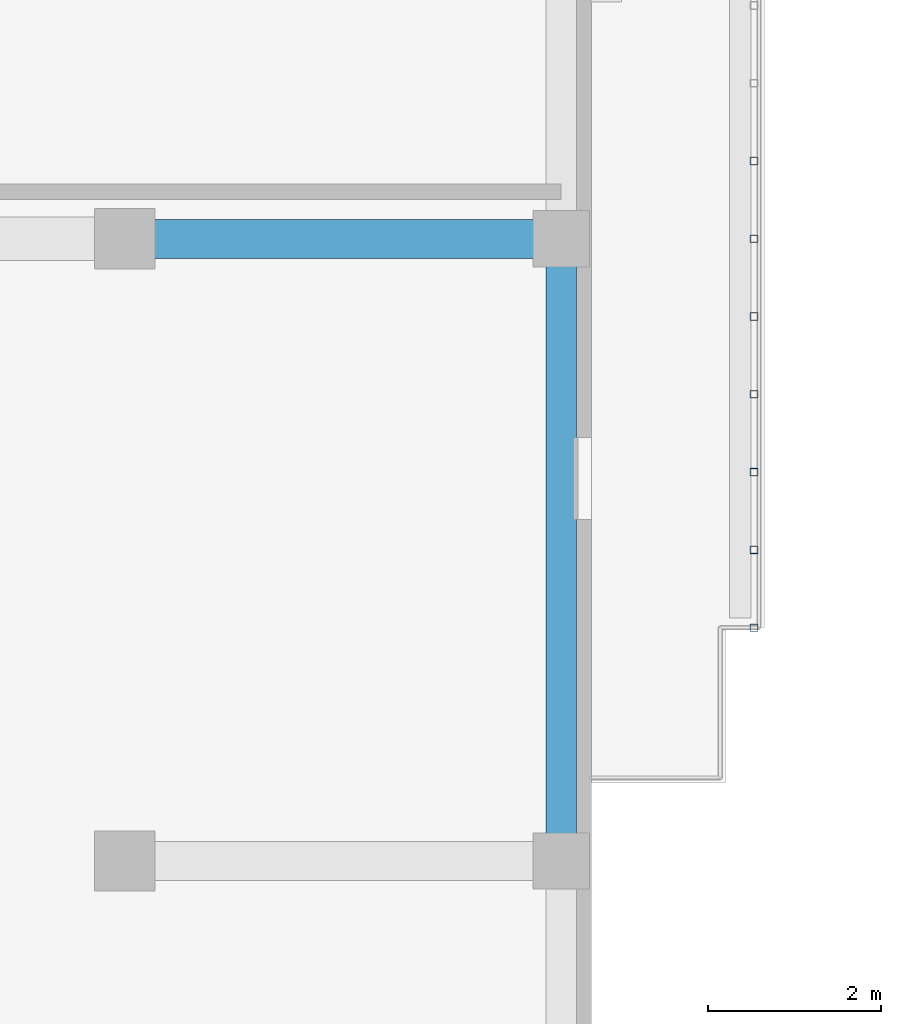
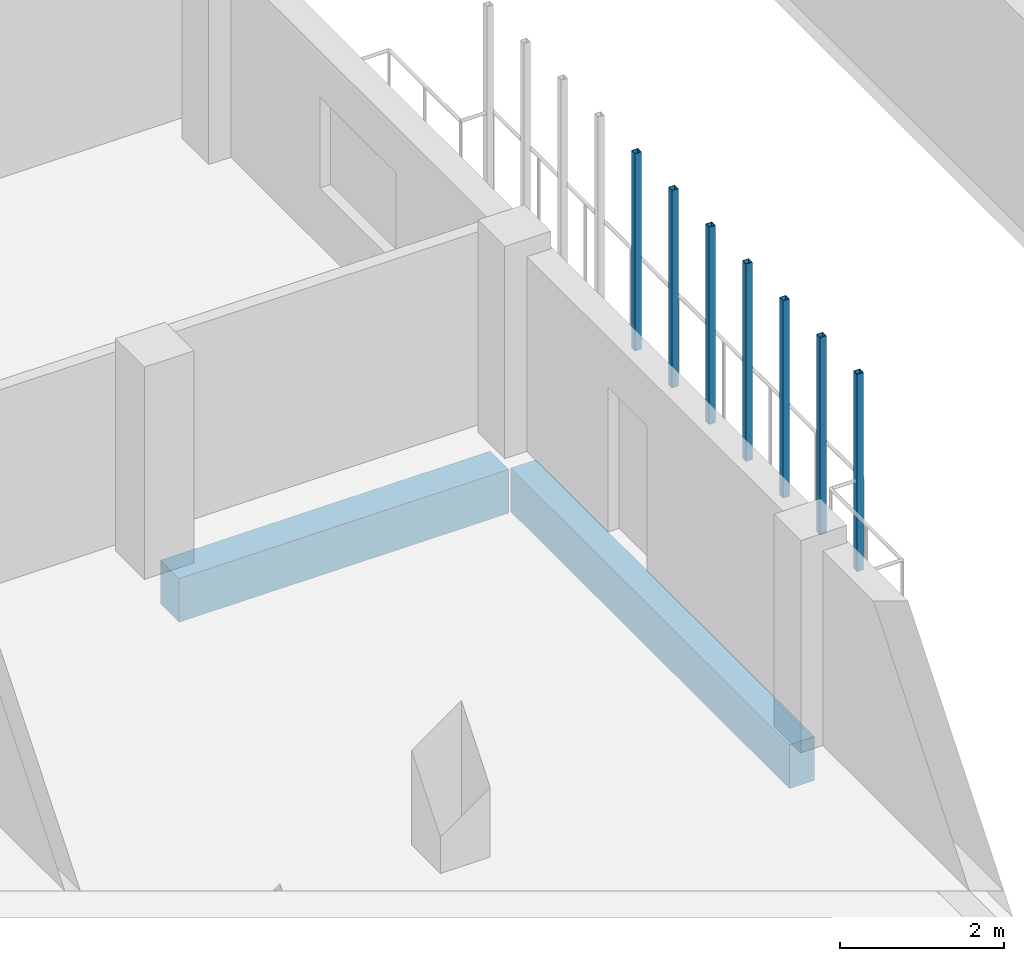
# One storey, part 2 of 56: 7 members, 2 beams.
"""IFC4 building model written with IfcOpenShell, lengths in metres."""

from ifc_helpers import new_model, si_unit, derived_unit, direction, frame, origin, origin_2d, place, context, subcontext, project, spatial, rectangle, hollow_rectangle, extrude, material, material_profile, profile_set, type_object, element, save


model = new_model("IFC4")

# Units and contexts
model_context = context("Model", 3, precision=1e-05, world=origin(), true_north=direction((0.0, 1.0)))
body_context = subcontext(model_context, "Body", "Model", "MODEL_VIEW")
ifc_project = project(units=[si_unit("LENGTHUNIT", "METRE"), si_unit("AREAUNIT", "SQUARE_METRE"), si_unit("VOLUMEUNIT", "CUBIC_METRE"), si_unit("PLANEANGLEUNIT", "RADIAN"), si_unit("MASSUNIT", "GRAM", prefix="KILO"), derived_unit("THERMALTRANSMITTANCEUNIT", [(si_unit("MASSUNIT", "GRAM", prefix="KILO"), 1), (si_unit("TIMEUNIT", "SECOND"), -3), (si_unit("THERMODYNAMICTEMPERATUREUNIT", "KELVIN"), -1)])], contexts=[model_context])

# Site, building, storey
site_placement = place(None, origin())
site = spatial("IfcSite", under=ifc_project, at=site_placement, CompositionType="ELEMENT")
building_placement = place(site_placement, origin())
building = spatial("IfcBuilding", under=site, at=building_placement, Name="Ochrekiln Boulevard Commons", CompositionType="ELEMENT")
storey_placement = place(building_placement, frame((0.0, 0.0, 12.074951171875)))
storey = spatial("IfcBuildingStorey", under=building, at=storey_placement, Name="L03", CompositionType="ELEMENT", Elevation=12.074951171875)

# Beam
ifc_material_1 = material(Name="Concrete C35/45", Category="concrete")
ifc_material_profile_1 = material_profile(ifc_material_1, rectangle(XDim=0.449951171875, YDim=0.64990234375, at=origin_2d()), Name="RC-BM-450x650")
ifc_profile_set_1 = profile_set([ifc_material_profile_1], Name="Concrete C35/45")
beam_type_1 = type_object("IfcBeamType", Name="BM-RC-450x650", PredefinedType="BEAM", material=ifc_profile_set_1)
beam_1_placement = place(storey_placement, frame((16.409912109375, 14.39990234375, -0.5849609375), z_axis=(1.0, 0.0, 0.0), x_axis=(0.0, 1.0, 0.0)))
element("IfcBeam", 1, at=beam_1_placement, inside=storey, type_object=beam_type_1, Name="Block D L03 Beam B-4565 X8", PredefinedType="BEAM", context=body_context, shape_type="SweptSolid", body=[
    extrude(rectangle(XDim=0.449951171875, YDim=0.64990234375, at=origin_2d()), origin(), (0.0, 0.0, 1.0), 4.630126953125),
])

# Members
ifc_material_2 = material(Name="Steel A500 Grade C", Category="steel")
ifc_material_profile_2 = material_profile(ifc_material_2, hollow_rectangle(XDim=0.090087890625, YDim=0.090087890625, WallThickness=0.00634765625, at=origin_2d()), Name="HSS90X90X6.4")
ifc_profile_set_2 = profile_set([ifc_material_profile_2], Name="Steel A500 Grade C")
member_type = type_object("IfcMemberType", Name="MEM-PST-HSS90", PredefinedType="POST", material=ifc_profile_set_2)
for number, where, z_axis, x_axis, name in (
    (2, (23.47998046875, 9.89990234375, 0.0), (0.0, 0.0, 1.0), (1.0, 0.0, 0.0), "Block D L03 Slim Vertical Balcony Post (331)"),
    (3, (23.47998046875, 10.800048828125, 0.0), (0.0, 0.0, 1.0), (1.0, 0.0, 0.0), "Block D L03 Slim Vertical Balcony Post (332)"),
    (4, (23.47998046875, 11.699951171875, 0.0), (0.0, 0.0, 1.0), (1.0, 0.0, 0.0), "Block D L03 Slim Vertical Balcony Post (333)"),
    (5, (23.47998046875, 12.60009765625, 0.0), (0.0, 0.0, 1.0), (1.0, 0.0, 0.0), "Block D L03 Slim Vertical Balcony Post (334)"),
    (6, (23.47998046875, 13.5, 0.0), (0.0, 0.0, 1.0), (1.0, 0.0, 0.0), "Block D L03 Slim Vertical Balcony Post (335)"),
    (7, (23.47998046875, 14.39990234375, 0.0), (0.0, 0.0, 1.0), (1.0, 0.0, 0.0), "Block D L03 Slim Vertical Balcony Post (336)"),
    (8, (23.47998046875, 15.300048828125, 0.0), (0.0, 0.0, 1.0), (1.0, 0.0, 0.0), "Block D L03 Slim Vertical Balcony Post (337)"),
):
    element("IfcMember", number, at=place(storey_placement, frame(where, z_axis=z_axis, x_axis=x_axis)), inside=storey, type_object=member_type, Name=name, PredefinedType="POST", context=body_context, shape_type="SweptSolid", body=[
        extrude(hollow_rectangle(XDim=0.090087890625, YDim=0.090087890625, WallThickness=0.00634765625, at=origin_2d()), origin(), (0.0, 0.0, 1.0), 2.929931640625),
    ])

# Beam
ifc_material_3 = material(Name="Concrete C40/50", Category="concrete")
ifc_material_profile_3 = material_profile(ifc_material_3, rectangle(XDim=0.35009765625, YDim=0.64990234375, at=origin_2d()), Name="RC-SPN-350x650")
ifc_profile_set_3 = profile_set([ifc_material_profile_3], Name="Concrete C40/50")
beam_type_2 = type_object("IfcBeamType", Name="SPN-RC-350x650", PredefinedType="SPANDREL", material=ifc_profile_set_3)
beam_2_placement = place(storey_placement, frame((21.25, 7.409912109375, -0.5849609375), z_axis=(0.0, 1.0, 0.0), x_axis=(-1.0, 0.0, 0.0)))
element("IfcBeam", 9, at=beam_2_placement, inside=storey, type_object=beam_type_2, Name="Block D L03 Beam SP-3565 Y31", PredefinedType="SPANDREL", context=body_context, shape_type="SweptSolid", body=[
    extrude(rectangle(XDim=0.35009765625, YDim=0.64990234375, at=origin_2d()), origin(), (0.0, 0.0, 1.0), 6.780029296875),
])

save(model, "model.ifc")
